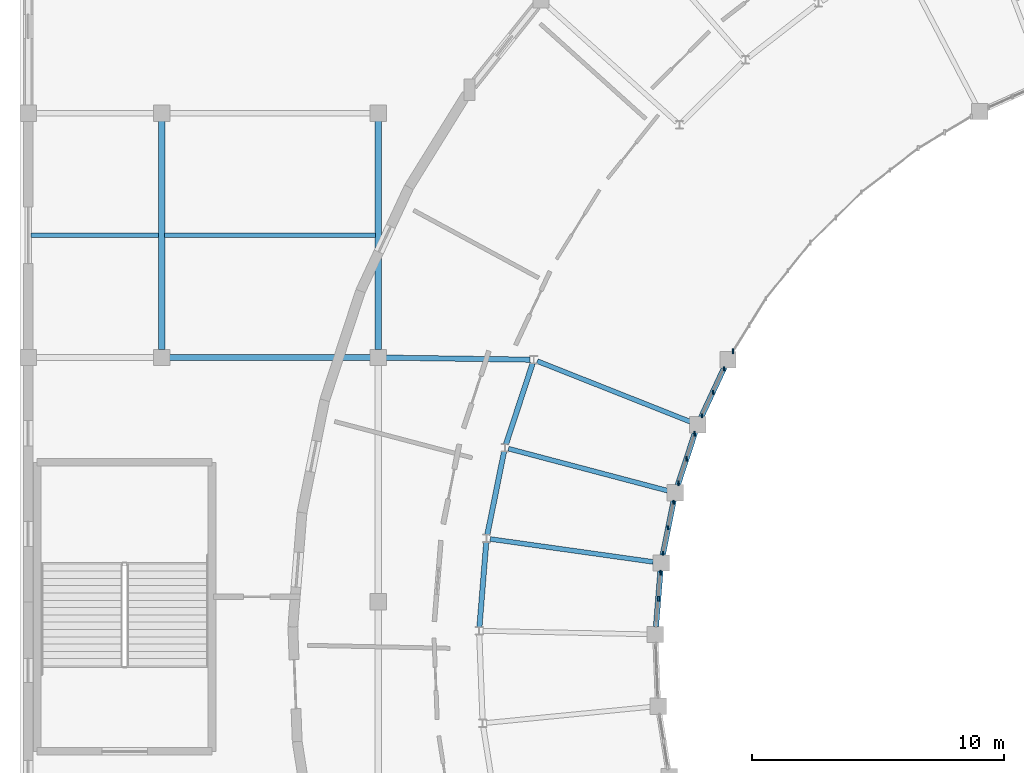
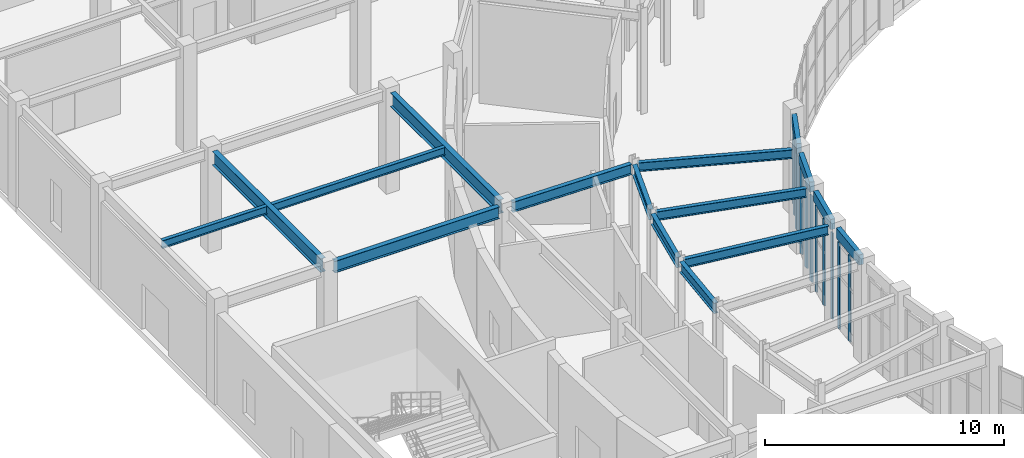
# One storey, part 27 of 93: 16 beams, 12 members, 5 elements without a shape of their own.
"""IFC4 building model written with IfcOpenShell, lengths in metres."""

from ifc_helpers import new_model, si_unit, direction, frame, origin, origin_2d, place, context, subcontext, project, spatial, rectangle, i_section, extrude, material, material_profile, profile_set, type_object, element, aggregate, save


model = new_model("IFC4")

# Units and contexts
model_context = context("Model", 3, precision=1e-05, world=origin(), true_north=direction((0.0, 1.0)))
body_context = subcontext(model_context, "Body", "Model", "MODEL_VIEW")
ifc_project = project(units=[si_unit("LENGTHUNIT", "METRE"), si_unit("AREAUNIT", "SQUARE_METRE"), si_unit("VOLUMEUNIT", "CUBIC_METRE"), si_unit("PLANEANGLEUNIT", "RADIAN"), si_unit("MASSUNIT", "GRAM", prefix="KILO")], contexts=[model_context])

# Site, building, storey
site_placement = place(None, origin())
site = spatial("IfcSite", under=ifc_project, at=site_placement, CompositionType="ELEMENT")
building_placement = place(site_placement, origin())
building = spatial("IfcBuilding", under=site, at=building_placement, Name="Cinderbank Siding Concert Hall", CompositionType="ELEMENT")
storey_placement = place(building_placement, origin())
storey = spatial("IfcBuildingStorey", under=building, at=storey_placement, Name="L01", CompositionType="ELEMENT", Elevation=0.0)

# Beams
ifc_material_1 = material(Name="Structural steel AS/NZS 3679.1 Grade 350 (340 MPa)", Category="steel")
ifc_material_profile_1 = material_profile(ifc_material_1, i_section(OverallWidth=0.18994140625, OverallDepth=0.45751953125, WebThickness=0.009033203125, FlangeThickness=0.014404296875, at=origin_2d()), Name="460UB74.6", Category="LoadBearing")
ifc_profile_set_1 = profile_set([ifc_material_profile_1], Name="Structural steel AS/NZS 3679.1 Grade 350 (340 MPa)")
beam_type_1 = type_object("IfcBeamType", Name="BM-UB460 460UB74.6", PredefinedType="BEAM", material=ifc_profile_set_1)
beam_1_placement = place(storey_placement, frame((33.390625, 76.95166015625, 4.893310546875), z_axis=(-0.929771987025, 0.368135915313, 0.0), x_axis=(-0.368135915313, -0.929771987025, 0.0)))
element("IfcBeam", 1, at=beam_1_placement, inside=storey, type_object=beam_type_1, Name="L01 Beam BM-UB460 #921", PredefinedType="BEAM", context=body_context, shape_type="SweptSolid", body=[
    extrude(i_section(OverallWidth=0.18994140625, OverallDepth=0.45751953125, WebThickness=0.009033203125, FlangeThickness=0.014404296875, at=origin_2d()), origin(), (0.0, 0.0, 1.0), 6.53564453125),
])
beam_2_placement = place(storey_placement, frame((32.48974609375, 74.211669921875, 4.893310546875), z_axis=(-0.966824945922, 0.255439863653, 0.0), x_axis=(-0.255439863653, -0.966824945922, 0.0)))
element("IfcBeam", 2, at=beam_2_placement, inside=storey, type_object=beam_type_1, Name="L01 Beam BM-UB460 #924", PredefinedType="BEAM", context=body_context, shape_type="SweptSolid", body=[
    extrude(i_section(OverallWidth=0.18994140625, OverallDepth=0.45751953125, WebThickness=0.009033203125, FlangeThickness=0.014404296875, at=origin_2d()), origin(), (0.0, 0.0, 1.0), 6.537353515625),
])
beam_3_placement = place(storey_placement, frame((31.919677734375, 71.38427734375, 4.893310546875), z_axis=(-0.990265993787, 0.139187864229, 0.0), x_axis=(-0.139187864229, -0.990265993787, 0.0)))
element("IfcBeam", 3, at=beam_3_placement, inside=storey, type_object=beam_type_1, Name="L01 Beam BM-UB460 #927", PredefinedType="BEAM", context=body_context, shape_type="SweptSolid", body=[
    extrude(i_section(OverallWidth=0.18994140625, OverallDepth=0.45751953125, WebThickness=0.009033203125, FlangeThickness=0.014404296875, at=origin_2d()), origin(), (0.0, 0.0, 1.0), 6.53564453125),
])
ifc_material_profile_2 = material_profile(ifc_material_1, i_section(OverallWidth=0.208984375, OverallDepth=0.5283203125, WebThickness=0.009521484375, FlangeThickness=0.01318359375, at=origin_2d()), Name="530UB82.0", Category="LoadBearing")
ifc_profile_set_2 = profile_set([ifc_material_profile_2], Name="Structural steel AS/NZS 3679.1 Grade 350 (340 MPa)")
beam_type_2 = type_object("IfcBeamType", Name="BM-UB530 530UB82.0", PredefinedType="BEAM", material=ifc_profile_set_2)
for number, where, z_axis, x_axis, name in (
    (4, (27.130859375, 79.271728515625, 4.85791015625), (-0.312307696968, -0.949981001081, 0.0), (0.949981001081, -0.312307696968, 0.0), "L01 Beam BM-UB530 #923"),
    (5, (25.999755859375, 75.776123046875, 4.85791015625), (-0.197683701582, -0.980265858902, 0.0), (0.980265858902, -0.197683701582, 0.0), "L01 Beam BM-UB530 #926"),
):
    element("IfcBeam", number, at=place(storey_placement, frame(where, z_axis=z_axis, x_axis=x_axis)), inside=storey, type_object=beam_type_2, Name=name, PredefinedType="BEAM", context=body_context, shape_type="SweptSolid", body=[
        extrude(i_section(OverallWidth=0.208984375, OverallDepth=0.5283203125, WebThickness=0.009521484375, FlangeThickness=0.01318359375, at=origin_2d()), origin(), (0.0, 0.0, 1.0), 3.384033203125),
    ])
beam_4_placement = place(storey_placement, frame((25.289794921875, 72.16748046875, 4.85791015625), z_axis=(-0.080149507844, -0.996782853179, 0.0), x_axis=(0.996782853179, -0.080149507844, 0.0)))
element("IfcBeam", 6, at=beam_4_placement, inside=storey, type_object=beam_type_2, Name="L01 Beam BM-UB530 #929", PredefinedType="BEAM", context=body_context, shape_type="SweptSolid", body=[
    extrude(i_section(OverallWidth=0.208984375, OverallDepth=0.5283203125, WebThickness=0.009521484375, FlangeThickness=0.01318359375, at=origin_2d()), origin(), (0.0, 0.0, 1.0), 3.38427734375),
])
beam_5_placement = place(storey_placement, frame((21.31689453125, 79.49560546875, 4.85791015625), z_axis=(0.999898140396, -0.014272660323, 0.0), x_axis=(0.014272660323, 0.999898140396, 0.0)))
element("IfcBeam", 7, at=beam_5_placement, inside=storey, type_object=beam_type_2, Name="L01 Beam BM-UB530 #1440", PredefinedType="BEAM", context=body_context, shape_type="SweptSolid", body=[
    extrude(i_section(OverallWidth=0.208984375, OverallDepth=0.5283203125, WebThickness=0.009521484375, FlangeThickness=0.01318359375, at=origin_2d()), origin(), (0.0, 0.0, 1.0), 5.713134765625),
])
ifc_material_profile_3 = material_profile(ifc_material_1, i_section(OverallWidth=0.22802734375, OverallDepth=0.602294921875, WebThickness=0.010498046875, FlangeThickness=0.014892578125, at=origin_2d()), Name="610UB101", Category="LoadBearing")
ifc_profile_set_3 = profile_set([ifc_material_profile_3], Name="Structural steel AS/NZS 3679.1 Grade 350 (340 MPa)")
beam_type_3 = type_object("IfcBeamType", Name="BM-UB610 610UB101", PredefinedType="BEAM", material=ifc_profile_set_3)
beam_6_placement = place(storey_placement, frame((12.717041015625, 79.5, 4.82080078125), z_axis=(1.0, 0.0, 0.0), x_axis=(0.0, 1.0, 0.0)))
element("IfcBeam", 8, at=beam_6_placement, inside=storey, type_object=beam_type_3, Name="L01 Beam BM-UB610 #1433", PredefinedType="BEAM", context=body_context, shape_type="SweptSolid", body=[
    extrude(i_section(OverallWidth=0.22802734375, OverallDepth=0.602294921875, WebThickness=0.010498046875, FlangeThickness=0.014892578125, at=origin_2d()), origin(), (0.0, 0.0, 1.0), 7.966064453125),
])
ifc_material_2 = material(Name="Structural steel welded plate section AS/NZS 3679.2 / AS/NZS 3678 Grade 350 (340 MPa)", Category="steel")
ifc_material_profile_4 = material_profile(ifc_material_2, i_section(OverallWidth=0.25, OverallDepth=0.699951171875, WebThickness=0.010009765625, FlangeThickness=0.01611328125, at=origin_2d()), Name="700WB130", Category="LoadBearing")
ifc_profile_set_4 = profile_set([ifc_material_profile_4], Name="Structural steel welded plate section AS/NZS 3679.2 / AS/NZS 3678 Grade 350 (340 MPa)")
beam_type_4 = type_object("IfcBeamType", Name="BM-WB700 700WB130", PredefinedType="BEAM", material=ifc_profile_set_4)
for number, where, z_axis, x_axis, name in (
    (9, (12.39990234375, 79.81689453125, 4.7919921875), (0.0, 1.0, 0.0), (-1.0, 0.0, 0.0), "L01 Beam BM-WB700 #1434"),
    (10, (21.0, 79.81689453125, 4.77197265625), (0.0, 1.0, 0.0), (-1.0, 0.0, 0.0), "L01 Beam BM-WB700 #1441"),
):
    element("IfcBeam", number, at=place(storey_placement, frame(where, z_axis=z_axis, x_axis=x_axis)), inside=storey, type_object=beam_type_4, Name=name, PredefinedType="BEAM", context=body_context, shape_type="SweptSolid", body=[
        extrude(i_section(OverallWidth=0.25, OverallDepth=0.699951171875, WebThickness=0.010009765625, FlangeThickness=0.01611328125, at=origin_2d()), origin(), (0.0, 0.0, 1.0), 9.066162109375),
    ])

# Curtain wall, members
ifc_material_3 = material(Name="Anodised aluminium alloy 6063-T6", Category="aluminium")
curtain_wall_type_1 = type_object("IfcCurtainWallType", Name="CW-14 Unitised Acoustic Curtain Wall 4200x3800", PredefinedType="NOTDEFINED", material=ifc_material_3)
curtain_wall_1_placement = place(storey_placement, origin())
curtain_wall_1 = element("IfcCurtainWall", 11, at=curtain_wall_1_placement, inside=storey, type_object=curtain_wall_type_1, Name="L01 Curtain Wall CW-14 #100", PredefinedType="NOTDEFINED")
ifc_material_profile_5 = material_profile(ifc_material_3, rectangle(XDim=0.06005859375, YDim=0.159912109375, at=origin_2d()), Name="ALU-MULL-60x160", Category="LoadBearing")
ifc_profile_set_5 = profile_set([ifc_material_profile_5], Name="Anodised aluminium alloy 6063-T6")
member_type_1 = type_object("IfcMemberType", Name="CW-ML1 Mullion 60x160", PredefinedType="MULLION", material=ifc_profile_set_5)
member_1_placement = place(storey_placement, frame((34.7236328125, 79.0615234375, 0.0), z_axis=(0.0, 0.0, 1.0), x_axis=(1.0, 0.0, 0.0)))
member_1 = element("IfcMember", 12, at=member_1_placement, type_object=member_type_1, Name="CW-L01-100 Mullion 0", PredefinedType="MULLION", context=body_context, shape_type="SweptSolid", body=[
    extrude(rectangle(XDim=0.06005859375, YDim=0.159912109375, at=origin_2d()), origin(), (0.0, 0.0, 1.0), 4.39990234375),
])
member_2_placement = place(storey_placement, frame((34.286865234375, 78.125, 0.0), z_axis=(0.0, 0.0, 1.0), x_axis=(1.0, 0.0, 0.0)))
member_2 = element("IfcMember", 13, at=member_2_placement, type_object=member_type_1, Name="CW-L01-100 Mullion 1", PredefinedType="MULLION", context=body_context, shape_type="SweptSolid", body=[
    extrude(rectangle(XDim=0.06005859375, YDim=0.159912109375, at=origin_2d()), origin(), (0.0, 0.0, 1.0), 4.39990234375),
])
member_3_placement = place(storey_placement, frame((33.85009765625, 77.1884765625, 0.0), z_axis=(0.0, 0.0, 1.0), x_axis=(1.0, 0.0, 0.0)))
member_3 = element("IfcMember", 14, at=member_3_placement, type_object=member_type_1, Name="CW-L01-100 Mullion 2", PredefinedType="MULLION", context=body_context, shape_type="SweptSolid", body=[
    extrude(rectangle(XDim=0.06005859375, YDim=0.159912109375, at=origin_2d()), origin(), (0.0, 0.0, 1.0), 4.39990234375),
])
aggregate(curtain_wall_1, [member_1, member_2, member_3])

curtain_wall_2_placement = place(storey_placement, origin())
curtain_wall_2 = element("IfcCurtainWall", 15, at=curtain_wall_2_placement, inside=storey, type_object=curtain_wall_type_1, Name="L01 Curtain Wall CW-14 #102", PredefinedType="NOTDEFINED")
member_4_placement = place(storey_placement, frame((32.718994140625, 73.748291015625, 0.0), z_axis=(0.0, 0.0, 1.0), x_axis=(1.0, 0.0, 0.0)))
member_4 = element("IfcMember", 16, at=member_4_placement, type_object=member_type_1, Name="CW-L01-102 Mullion 0", PredefinedType="MULLION", context=body_context, shape_type="SweptSolid", body=[
    extrude(rectangle(XDim=0.06005859375, YDim=0.159912109375, at=origin_2d()), origin(), (0.0, 0.0, 1.0), 4.39990234375),
])
member_5_placement = place(storey_placement, frame((32.514892578125, 72.735595703125, 0.0), z_axis=(0.0, 0.0, 1.0), x_axis=(1.0, 0.0, 0.0)))
member_5 = element("IfcMember", 17, at=member_5_placement, type_object=member_type_1, Name="CW-L01-102 Mullion 1", PredefinedType="MULLION", context=body_context, shape_type="SweptSolid", body=[
    extrude(rectangle(XDim=0.06005859375, YDim=0.159912109375, at=origin_2d()), origin(), (0.0, 0.0, 1.0), 4.39990234375),
])
member_6_placement = place(storey_placement, frame((32.310791015625, 71.722412109375, 0.0), z_axis=(0.0, 0.0, 1.0), x_axis=(1.0, 0.0, 0.0)))
member_6 = element("IfcMember", 18, at=member_6_placement, type_object=member_type_1, Name="CW-L01-102 Mullion 2", PredefinedType="MULLION", context=body_context, shape_type="SweptSolid", body=[
    extrude(rectangle(XDim=0.06005859375, YDim=0.159912109375, at=origin_2d()), origin(), (0.0, 0.0, 1.0), 4.39990234375),
])
aggregate(curtain_wall_2, [member_4, member_5, member_6])

# Curtain wall, member
curtain_wall_type_2 = type_object("IfcCurtainWallType", Name="CW-13 Unitised Acoustic Curtain Wall 4200x4400", PredefinedType="NOTDEFINED", material=ifc_material_3)
curtain_wall_3_placement = place(storey_placement, origin())
curtain_wall_3 = element("IfcCurtainWall", 19, at=curtain_wall_3_placement, inside=storey, type_object=curtain_wall_type_2, Name="L01 Curtain Wall CW-13 #99", PredefinedType="NOTDEFINED")
ifc_material_profile_6 = material_profile(ifc_material_3, rectangle(XDim=0.06494140625, YDim=0.199951171875, at=origin_2d()), Name="ALU-MULL-65x200", Category="LoadBearing")
ifc_profile_set_6 = profile_set([ifc_material_profile_6], Name="Anodised aluminium alloy 6063-T6")
member_type_2 = type_object("IfcMemberType", Name="CW-ML2 Mullion 65x200", PredefinedType="MULLION", material=ifc_profile_set_6)
member_7_placement = place(storey_placement, frame((35.093994140625, 79.74658203125, 0.0), z_axis=(0.0, 0.0, 1.0), x_axis=(1.0, 0.0, 0.0)))
member_7 = element("IfcMember", 20, at=member_7_placement, type_object=member_type_2, Name="CW-L01-099 Mullion 2", PredefinedType="MULLION", context=body_context, shape_type="SweptSolid", body=[
    extrude(rectangle(XDim=0.06494140625, YDim=0.199951171875, at=origin_2d()), origin(), (0.0, 0.0, 1.0), 4.39990234375),
])
aggregate(curtain_wall_3, [member_7])

# Curtain wall, members
curtain_wall_4_placement = place(storey_placement, origin())
curtain_wall_4 = element("IfcCurtainWall", 21, at=curtain_wall_4_placement, inside=storey, type_object=curtain_wall_type_2, Name="L01 Curtain Wall CW-13 #101", PredefinedType="NOTDEFINED")
member_8_placement = place(storey_placement, frame((33.563720703125, 76.464599609375, 0.0), z_axis=(0.0, 0.0, 1.0), x_axis=(1.0, 0.0, 0.0)))
member_8 = element("IfcMember", 22, at=member_8_placement, type_object=member_type_2, Name="CW-L01-101 Mullion 0", PredefinedType="MULLION", context=body_context, shape_type="SweptSolid", body=[
    extrude(rectangle(XDim=0.06494140625, YDim=0.199951171875, at=origin_2d()), origin(), (0.0, 0.0, 1.0), 4.39990234375),
])
member_9_placement = place(storey_placement, frame((33.24072265625, 75.48291015625, 0.0), z_axis=(0.0, 0.0, 1.0), x_axis=(1.0, 0.0, 0.0)))
member_9 = element("IfcMember", 23, at=member_9_placement, type_object=member_type_2, Name="CW-L01-101 Mullion 1", PredefinedType="MULLION", context=body_context, shape_type="SweptSolid", body=[
    extrude(rectangle(XDim=0.06494140625, YDim=0.199951171875, at=origin_2d()), origin(), (0.0, 0.0, 1.0), 4.39990234375),
])
member_10_placement = place(storey_placement, frame((32.91796875, 74.501220703125, 0.0), z_axis=(0.0, 0.0, 1.0), x_axis=(1.0, 0.0, 0.0)))
member_10 = element("IfcMember", 24, at=member_10_placement, type_object=member_type_2, Name="CW-L01-101 Mullion 2", PredefinedType="MULLION", context=body_context, shape_type="SweptSolid", body=[
    extrude(rectangle(XDim=0.06494140625, YDim=0.199951171875, at=origin_2d()), origin(), (0.0, 0.0, 1.0), 4.39990234375),
])
aggregate(curtain_wall_4, [member_8, member_9, member_10])

curtain_wall_5_placement = place(storey_placement, origin())
curtain_wall_5 = element("IfcCurtainWall", 25, at=curtain_wall_5_placement, inside=storey, type_object=curtain_wall_type_2, Name="L01 Curtain Wall CW-13 #103", PredefinedType="NOTDEFINED")
member_11_placement = place(storey_placement, frame((32.202392578125, 70.951416015625, 0.0), z_axis=(0.0, 0.0, 1.0), x_axis=(1.0, 0.0, 0.0)))
member_11 = element("IfcMember", 26, at=member_11_placement, type_object=member_type_2, Name="CW-L01-103 Mullion 0", PredefinedType="MULLION", context=body_context, shape_type="SweptSolid", body=[
    extrude(rectangle(XDim=0.06494140625, YDim=0.199951171875, at=origin_2d()), origin(), (0.0, 0.0, 1.0), 4.39990234375),
])
member_12_placement = place(storey_placement, frame((32.119384765625, 69.92138671875, 0.0), z_axis=(0.0, 0.0, 1.0), x_axis=(1.0, 0.0, 0.0)))
member_12 = element("IfcMember", 27, at=member_12_placement, type_object=member_type_2, Name="CW-L01-103 Mullion 1", PredefinedType="MULLION", context=body_context, shape_type="SweptSolid", body=[
    extrude(rectangle(XDim=0.06494140625, YDim=0.199951171875, at=origin_2d()), origin(), (0.0, 0.0, 1.0), 4.39990234375),
])
aggregate(curtain_wall_5, [member_11, member_12])

# Beams
ifc_material_profile_7 = material_profile(ifc_material_1, i_section(OverallWidth=0.177978515625, OverallDepth=0.402587890625, WebThickness=0.007568359375, FlangeThickness=0.010986328125, at=origin_2d()), Name="410UB53.7", Category="LoadBearing")
ifc_profile_set_7 = profile_set([ifc_material_profile_7], Name="Structural steel AS/NZS 3679.1 Grade 350 (340 MPa)")
beam_type_5 = type_object("IfcBeamType", Name="JS-UB410 410UB53.7", PredefinedType="JOIST", material=ifc_profile_set_7)
beam_7_placement = place(storey_placement, frame((7.217041015625, 84.35009765625, 4.940673828125), z_axis=(1.0, 0.0, 0.0), x_axis=(0.0, 1.0, 0.0)))
element("IfcBeam", 28, at=beam_7_placement, inside=storey, type_object=beam_type_5, Name="L01 Beam JS-UB410 #1484", PredefinedType="JOIST", context=body_context, shape_type="SweptSolid", body=[
    extrude(i_section(OverallWidth=0.177978515625, OverallDepth=0.402587890625, WebThickness=0.007568359375, FlangeThickness=0.010986328125, at=origin_2d()), origin(), (0.0, 0.0, 1.0), 5.06591796875),
])
beam_8_placement = place(storey_placement, frame((12.51708984375, 84.35009765625, 4.940673828125), z_axis=(1.0, 0.0, 0.0), x_axis=(0.0, 1.0, 0.0)))
element("IfcBeam", 29, at=beam_8_placement, inside=storey, type_object=beam_type_5, Name="L01 Beam JS-UB410 #1486", PredefinedType="JOIST", context=body_context, shape_type="SweptSolid", body=[
    extrude(i_section(OverallWidth=0.177978515625, OverallDepth=0.402587890625, WebThickness=0.007568359375, FlangeThickness=0.010986328125, at=origin_2d()), origin(), (0.0, 0.0, 1.0), 8.365966796875),
])
ifc_material_4 = material(Name="Spotted gum glulam timber GL18 (42 MPa)", Category="wood")
ifc_material_profile_8 = material_profile(ifc_material_4, rectangle(XDim=0.215087890625, YDim=0.52001953125, at=origin_2d()), Name="GL18-215x520", Category="LoadBearing")
ifc_profile_set_8 = profile_set([ifc_material_profile_8], Name="Spotted gum glulam timber GL18 (42 MPa)")
beam_type_6 = type_object("IfcBeamType", Name="SP-GL520 GL18-215x520", PredefinedType="SPANDREL", material=ifc_profile_set_8)
for number, where, z_axis, x_axis, name in (
    (30, (34.75439453125, 79.127685546875, 4.862060546875), (-0.422595503754, -0.906318398912, 0.0), (0.906318398912, -0.422595503754, 0.0), "L01 Beam SP-GL520 #920"),
    (31, (33.58642578125, 76.533935546875, 4.862060546875), (-0.312352446311, -0.949966288498, 0.0), (0.949966288498, -0.312352446311, 0.0), "L01 Beam SP-GL520 #922"),
):
    element("IfcBeam", number, at=place(storey_placement, frame(where, z_axis=z_axis, x_axis=x_axis)), inside=storey, type_object=beam_type_6, Name=name, PredefinedType="SPANDREL", context=body_context, shape_type="SweptSolid", body=[
        extrude(rectangle(XDim=0.215087890625, YDim=0.52001953125, at=origin_2d()), origin(), (0.0, 0.0, 1.0), 2.212646484375),
    ])
beam_9_placement = place(storey_placement, frame((32.7333984375, 73.820068359375, 4.862060546875), z_axis=(-0.197495096869, -0.98030387468, 0.0), x_axis=(0.98030387468, -0.197495096869, 0.0)))
element("IfcBeam", 32, at=beam_9_placement, inside=storey, type_object=beam_type_6, Name="L01 Beam SP-GL520 #925", PredefinedType="SPANDREL", context=body_context, shape_type="SweptSolid", body=[
    extrude(rectangle(XDim=0.215087890625, YDim=0.52001953125, at=origin_2d()), origin(), (0.0, 0.0, 1.0), 2.212890625),
])
beam_10_placement = place(storey_placement, frame((32.208251953125, 71.024169921875, 4.862060546875), z_axis=(-0.080214449462, -0.996777629212, 0.0), x_axis=(0.996777629212, -0.080214449462, 0.0)))
element("IfcBeam", 33, at=beam_10_placement, inside=storey, type_object=beam_type_6, Name="L01 Beam SP-GL520 #928", PredefinedType="SPANDREL", context=body_context, shape_type="SweptSolid", body=[
    extrude(rectangle(XDim=0.215087890625, YDim=0.52001953125, at=origin_2d()), origin(), (0.0, 0.0, 1.0), 2.212646484375),
])

save(model, "model.ifc")
